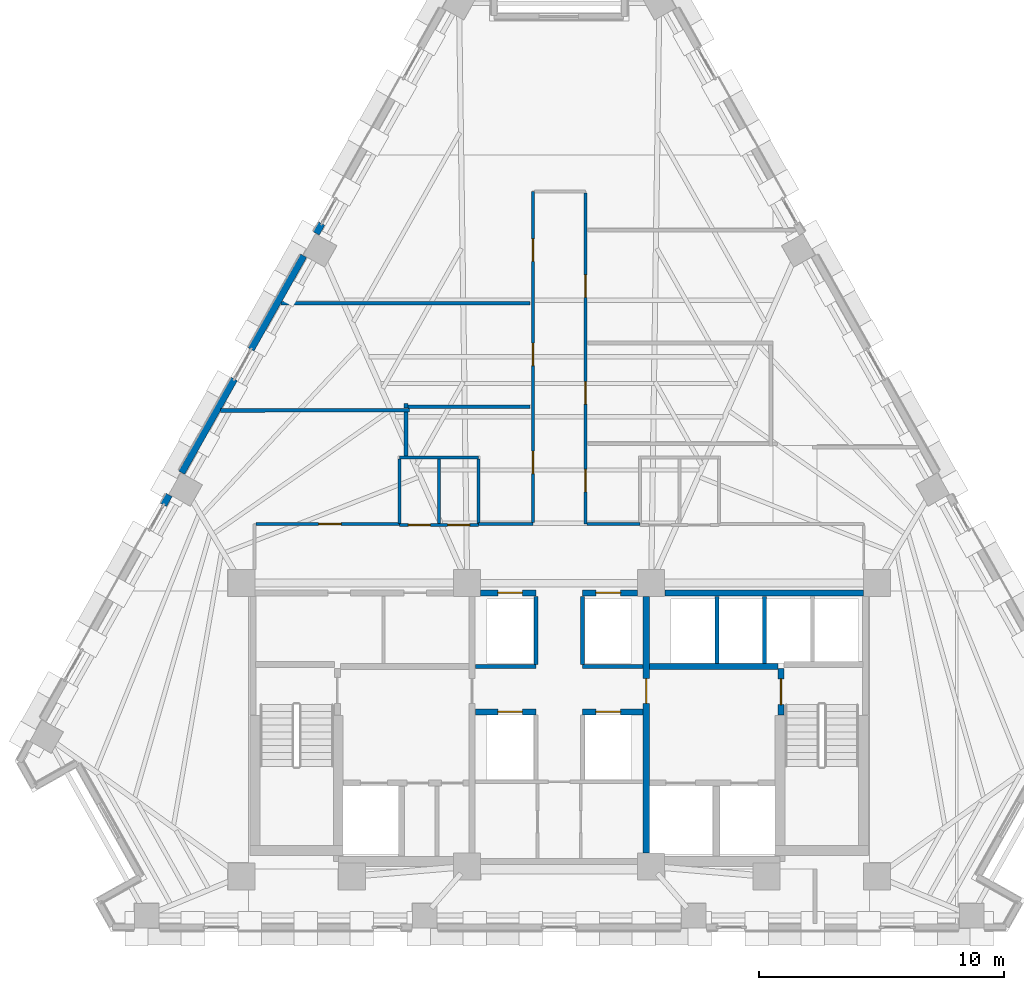
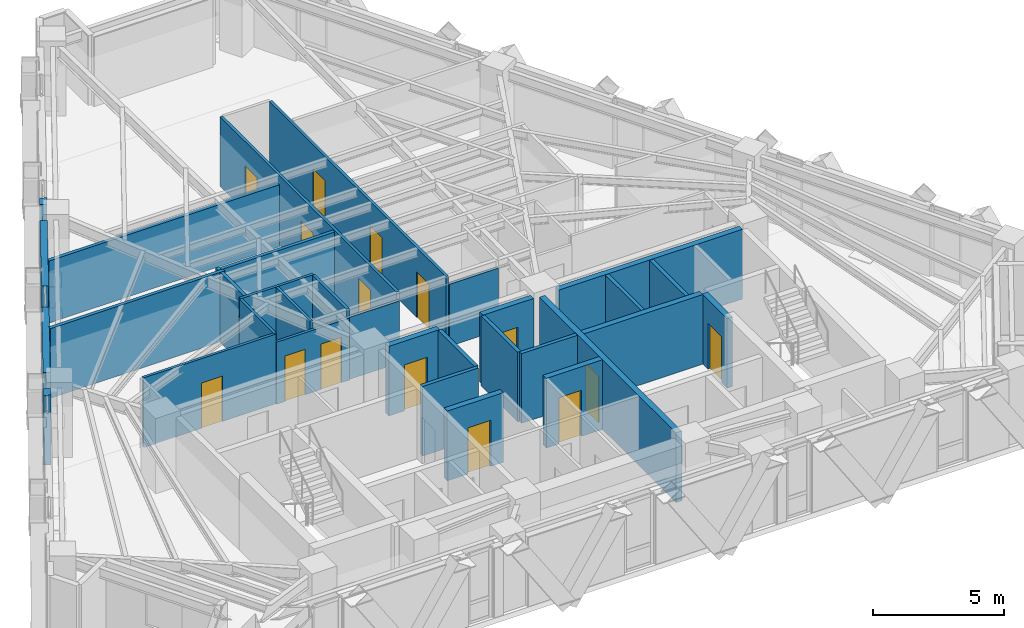
# One storey, part 8 of 14: 33 walls, 15 doors, 15 openings.
"""IFC4 building model written with IfcOpenShell, lengths in metres."""

from ifc_helpers import new_model, si_unit, direction, frame, frame_2d, origin, place, context, subcontext, project, spatial, rectangle, extrude, material, layer, layer_set, type_object, element, fill, save


model = new_model("IFC4")

# Units and contexts
model_context = context("Model", 3, precision=1e-05, world=origin(), true_north=direction((0.0, 1.0)))
body_context = subcontext(model_context, "Body", "Model", "MODEL_VIEW")
ifc_project = project(units=[si_unit("LENGTHUNIT", "METRE"), si_unit("AREAUNIT", "SQUARE_METRE"), si_unit("VOLUMEUNIT", "CUBIC_METRE"), si_unit("PLANEANGLEUNIT", "RADIAN"), si_unit("MASSUNIT", "GRAM", prefix="KILO")], contexts=[model_context])

# Site, building, storey
site_placement = place(None, origin())
site = spatial("IfcSite", under=ifc_project, at=site_placement, CompositionType="ELEMENT")
building_placement = place(site_placement, origin())
building = spatial("IfcBuilding", under=site, at=building_placement, Name="Quenlor Broadcast Tower", CompositionType="ELEMENT")
storey_placement = place(building_placement, frame((0.0, 0.0, 140.5)))
storey = spatial("IfcBuildingStorey", under=building, at=storey_placement, Name="L38", CompositionType="ELEMENT", Elevation=140.5)

# Walls
ifc_material_1 = material(Name="Acoustic Double Stud Gypsum Partition", Category="other")
ifc_layer_1 = layer(ifc_material_1, 0.14990234375)
ifc_layer_set_1 = layer_set([ifc_layer_1], Name="Broadcast Studio Acoustic Partition 150")
wall_type_1 = type_object("IfcWallType", Name="Broadcast Studio Acoustic Partition 150", PredefinedType="PARTITIONING", material=ifc_layer_set_1)
wall_1_placement = place(storey_placement, frame((-1.179931640625, 6.605224609375, 0.0), z_axis=(0.0, 0.0, 1.0), x_axis=(-1.0, 0.0, 0.0)))
element("IfcWall", 1, at=wall_1_placement, inside=storey, type_object=wall_type_1, Name="L38 Interior Wall PW-DV-02", PredefinedType="PARTITIONING", context=body_context, shape_type="SweptSolid", body=[
    extrude(rectangle(XDim=10.1533203125, YDim=0.14990234375, at=frame_2d((5.07666015625, 0.0))), origin(), (0.0, 0.0, 1.0), 2.891357421875),
])
wall_2_placement = place(storey_placement, frame((-1.179931640625, 2.3798828125, 0.0), z_axis=(0.0, 0.0, 1.0), x_axis=(-1.0, 0.0, 0.0)))
element("IfcWall", 2, at=wall_2_placement, inside=storey, type_object=wall_type_1, Name="L38 Interior Wall PW-DV-06", PredefinedType="PARTITIONING", context=body_context, shape_type="SweptSolid", body=[
    extrude(rectangle(XDim=4.984619140625, YDim=0.14990234375, at=frame_2d((2.4921875, 0.0))), origin(), (0.0, 0.0, 1.0), 3.25),
])
wall_3_placement = place(storey_placement, frame((-6.10009765625, 2.24462890625, 0.0), z_axis=(0.0, 0.0, 1.0), x_axis=(-0.999998126996, -0.001935459776, 0.0)))
element("IfcWall", 3, at=wall_3_placement, inside=storey, type_object=wall_type_1, Name="L38 Interior Wall PW-DV-07", PredefinedType="PARTITIONING", context=body_context, shape_type="SweptSolid", body=[
    extrude(rectangle(XDim=7.694580078125, YDim=0.14990234375, at=frame_2d((3.84716796875, 0.0))), origin(), (0.0, 0.0, 1.0), 3.25),
])
wall_4_placement = place(storey_placement, frame((-6.239990234375, 0.3720703125, 0.0), z_axis=(0.0, 0.0, 1.0), x_axis=(0.0, 1.0, 0.0)))
element("IfcWall", 4, at=wall_4_placement, inside=storey, type_object=wall_type_1, Name="L38 Interior Wall PW-DV-09", PredefinedType="PARTITIONING", context=body_context, shape_type="SweptSolid", body=[
    extrude(rectangle(XDim=1.79541015625, YDim=0.14990234375, at=frame_2d((0.897705078125, 0.0))), origin(), (0.0, 0.0, 1.0), 3.25),
])
wall_5_placement = place(storey_placement, frame((-6.239990234375, 2.3212890625, 0.0), z_axis=(0.0, 0.0, 1.0), x_axis=(0.0, 1.0, 0.0)))
element("IfcWall", 5, at=wall_5_placement, inside=storey, type_object=wall_type_1, Name="L38 Interior Wall PW-DV-09S2", PredefinedType="PARTITIONING", context=body_context, shape_type="SweptSolid", body=[
    extrude(rectangle(XDim=0.19873046875, YDim=0.14990234375, at=frame_2d((0.099365234375, 0.0))), origin(), (0.0, 0.0, 1.0), 3.25),
])

# Wall, opening, door
ifc_material_2 = material(Name="Concrete C40/50", Category="concrete")
ifc_layer_2 = layer(ifc_material_2, 0.25)
ifc_layer_set_2 = layer_set([ifc_layer_2], Name="Fire Rated Concrete C40/50 Core Wall 250")
wall_type_2 = type_object("IfcWallType", Name="Fire Rated Concrete C40/50 Core Wall 250", PredefinedType="PARTITIONING", material=ifc_layer_set_2)
wall_6_placement = place(storey_placement, frame((9.0400390625, -10.179931640625, 0.0), z_axis=(0.0, 0.0, 1.0), x_axis=(0.0, 1.0, 0.0)))
wall_6 = element("IfcWall", 6, at=wall_6_placement, inside=storey, type_object=wall_type_2, Name="L38 Interior Wall CW-ST2-DR", PredefinedType="PARTITIONING", context=body_context, shape_type="SweptSolid", body=[
    extrude(rectangle(XDim=1.89990234375, YDim=0.25, at=frame_2d((0.949951171875, 0.0))), origin(), (0.0, 0.0, 1.0), 3.25),
])
opening_1_placement = place(wall_6_placement, frame((0.419921875, 0.0, 0.0)))
opening_1 = element("IfcOpeningElement", 7, at=opening_1_placement, cuts=wall_6, Name="Opening FD-1", PredefinedType="OPENING", context=body_context, shape_type="SweptSolid", body=[
    extrude(rectangle(XDim=1.050048828125, YDim=2.14990234375, at=frame_2d((0.52490234375, 1.074951171875))), frame((0.0, 0.135009765625, 0.0), z_axis=(0.0, -1.0, 0.0), x_axis=(1.0, 0.0, 0.0)), (0.0, 0.0, 1.0), 0.27001953125),
])
ifc_material_3 = material(Name="Fire Rated Steel Door Leaf", Category="steel")
door_type_1 = type_object("IfcDoorType", Name="Fire Isolated Stair Door 1050x2150", OperationType="NOTDEFINED", PredefinedType="DOOR", material=ifc_material_3)
door_1_placement = place(opening_1_placement, origin())
door_1 = element("IfcDoor", 8, at=door_1_placement, inside=storey, type_object=door_type_1, Name="L38 Door DR-ST2", OperationType="SINGLE_SWING_RIGHT", OverallHeight=2.14990234375, OverallWidth=1.050048828125, PredefinedType="DOOR", context=body_context, shape_type="SweptSolid", body=[
    extrude(rectangle(XDim=1.050048828125, YDim=2.14990234375, at=frame_2d((0.52490234375, 1.074951171875))), frame((0.0, 0.02490234375, 0.0), z_axis=(0.0, -1.0, 0.0), x_axis=(1.0, 0.0, 0.0)), (0.0, 0.0, 1.0), 0.050048828125),
])
fill(opening_1, door_1)

# Wall
wall_7_placement = place(storey_placement, frame((3.679931640625, -8.199951171875, 0.0), z_axis=(0.0, 0.0, 1.0), x_axis=(1.0, 0.0, 0.0)))
element("IfcWall", 9, at=wall_7_placement, inside=storey, type_object=wall_type_2, Name="L38 Interior Wall CW-FFE-N", PredefinedType="PARTITIONING", context=body_context, shape_type="SweptSolid", body=[
    extrude(rectangle(XDim=5.239990234375, YDim=0.25, at=frame_2d((2.6201171875, 0.0))), origin(), (0.0, 0.0, 1.0), 3.25),
])

# Wall, opening, door
wall_8_placement = place(storey_placement, frame((3.550048828125, -15.798095703125, 0.0), z_axis=(0.0, 0.0, 1.0), x_axis=(0.0, 1.0, 0.0)))
wall_8 = element("IfcWall", 10, at=wall_8_placement, inside=storey, type_object=wall_type_2, Name="L38 Interior Wall CW-FFE-W", PredefinedType="PARTITIONING", context=body_context, shape_type="SweptSolid", body=[
    extrude(rectangle(XDim=10.446044921875, YDim=0.25, at=frame_2d((5.22314453125, 0.0))), origin(), (0.0, 0.0, 1.0), 3.25),
])
opening_2_placement = place(wall_8_placement, frame((6.097900390625, 0.0, 0.0)))
opening_2 = element("IfcOpeningElement", 11, at=opening_2_placement, cuts=wall_8, Name="Opening FD-2", PredefinedType="OPENING", context=body_context, shape_type="SweptSolid", body=[
    extrude(rectangle(XDim=1.0, YDim=2.14990234375, at=frame_2d((0.5, 1.074951171875))), frame((0.0, 0.135009765625, 0.0), z_axis=(0.0, -1.0, 0.0), x_axis=(1.0, 0.0, 0.0)), (0.0, 0.0, 1.0), 0.27001953125),
])
ifc_material_4 = material(Name="Fire Rated Glazed Steel Door", Category="steel")
door_type_2 = type_object("IfcDoorType", Name="Firefighting Lobby Smoke Door 1000x2150", OperationType="NOTDEFINED", PredefinedType="DOOR", material=ifc_material_4)
door_2_placement = place(opening_2_placement, origin())
door_2 = element("IfcDoor", 12, at=door_2_placement, inside=storey, type_object=door_type_2, Name="L38 Door DR-FFLE", OperationType="SINGLE_SWING_LEFT", OverallHeight=2.14990234375, OverallWidth=1.0, PredefinedType="DOOR", context=body_context, shape_type="SweptSolid", body=[
    extrude(rectangle(XDim=1.0, YDim=2.14990234375, at=frame_2d((0.5, 1.074951171875))), frame((0.0, 0.02490234375, 0.0), z_axis=(0.0, -1.0, 0.0), x_axis=(1.0, 0.0, 0.0)), (0.0, 0.0, 1.0), 0.050048828125),
])
fill(opening_2, door_2)

# Wall
wall_9_placement = place(storey_placement, frame((4.302001953125, -5.199951171875, 0.0), z_axis=(0.0, 0.0, 1.0), x_axis=(1.0, 0.0, 0.0)))
element("IfcWall", 13, at=wall_9_placement, inside=storey, type_object=wall_type_2, Name="L38 Interior Wall CW-N-E", PredefinedType="PARTITIONING", context=body_context, shape_type="SweptSolid", body=[
    extrude(rectangle(XDim=8.095947265625, YDim=0.25, at=frame_2d((4.0478515625, 0.0))), origin(), (0.0, 0.0, 1.0), 3.25),
])

# Wall, opening, door
wall_10_placement = place(storey_placement, frame((-3.197998046875, -5.199951171875, 0.0), z_axis=(0.0, 0.0, 1.0), x_axis=(1.0, 0.0, 0.0)))
wall_10 = element("IfcWall", 14, at=wall_10_placement, inside=storey, type_object=wall_type_2, Name="L38 Interior Wall CW-N-M1", PredefinedType="PARTITIONING", context=body_context, shape_type="SweptSolid", body=[
    extrude(rectangle(XDim=2.248046875, YDim=0.25, at=frame_2d((1.1240234375, 0.0))), origin(), (0.0, 0.0, 1.0), 3.25),
])
opening_3_placement = place(wall_10_placement, frame((0.697998046875, 0.0, 0.0)))
opening_3 = element("IfcOpeningElement", 15, at=opening_3_placement, cuts=wall_10, Name="Opening LD-PL-M1", PredefinedType="OPENING", context=body_context, shape_type="SweptSolid", body=[
    extrude(rectangle(XDim=1.0, YDim=2.14990234375, at=frame_2d((0.5, 1.074951171875))), frame((0.0, 0.135009765625, 0.0), z_axis=(0.0, -1.0, 0.0), x_axis=(1.0, 0.0, 0.0)), (0.0, 0.0, 1.0), 0.27001953125),
])
ifc_material_5 = material(Name="Brushed Stainless Steel", Category="steel")
door_type_3 = type_object("IfcDoorType", Name="Passenger Lift Sliding Landing Door 1000x2150", OperationType="NOTDEFINED", PredefinedType="DOOR", material=ifc_material_5)
door_3_placement = place(opening_3_placement, origin())
door_3 = element("IfcDoor", 16, at=door_3_placement, inside=storey, type_object=door_type_3, Name="L38 Door LD-PL-M1", OperationType="SLIDING_TO_LEFT", OverallHeight=2.14990234375, OverallWidth=1.0, PredefinedType="DOOR", context=body_context, shape_type="SweptSolid", body=[
    extrude(rectangle(XDim=1.0, YDim=2.14990234375, at=frame_2d((0.5, 1.074951171875))), frame((0.0, 0.02490234375, 0.0), z_axis=(0.0, -1.0, 0.0), x_axis=(1.0, 0.0, 0.0)), (0.0, 0.0, 1.0), 0.050048828125),
])
fill(opening_3, door_3)

wall_11_placement = place(storey_placement, frame((0.949951171875, -5.199951171875, 0.0), z_axis=(0.0, 0.0, 1.0), x_axis=(1.0, 0.0, 0.0)))
wall_11 = element("IfcWall", 17, at=wall_11_placement, inside=storey, type_object=wall_type_2, Name="L38 Interior Wall CW-N-M2", PredefinedType="PARTITIONING", context=body_context, shape_type="SweptSolid", body=[
    extrude(rectangle(XDim=2.248046875, YDim=0.25, at=frame_2d((1.1240234375, 0.0))), origin(), (0.0, 0.0, 1.0), 3.25),
])
opening_4_placement = place(wall_11_placement, frame((0.550048828125, 0.0, 0.0)))
opening_4 = element("IfcOpeningElement", 18, at=opening_4_placement, cuts=wall_11, Name="Opening LD-PL-M2", PredefinedType="OPENING", context=body_context, shape_type="SweptSolid", body=[
    extrude(rectangle(XDim=1.0, YDim=2.14990234375, at=frame_2d((0.5, 1.074951171875))), frame((0.0, 0.135009765625, 0.0), z_axis=(0.0, -1.0, 0.0), x_axis=(1.0, 0.0, 0.0)), (0.0, 0.0, 1.0), 0.27001953125),
])
door_4_placement = place(opening_4_placement, origin())
door_4 = element("IfcDoor", 19, at=door_4_placement, inside=storey, type_object=door_type_3, Name="L38 Door LD-PL-M2", OperationType="SLIDING_TO_RIGHT", OverallHeight=2.14990234375, OverallWidth=1.0, PredefinedType="DOOR", context=body_context, shape_type="SweptSolid", body=[
    extrude(rectangle(XDim=1.0, YDim=2.14990234375, at=frame_2d((0.5, 1.074951171875))), frame((0.0, 0.02490234375, 0.0), z_axis=(0.0, -1.0, 0.0), x_axis=(1.0, 0.0, 0.0)), (0.0, 0.0, 1.0), 0.050048828125),
])
fill(opening_4, door_4)

wall_12_placement = place(storey_placement, frame((-3.419921875, -10.050048828125, 0.0), z_axis=(0.0, 0.0, 1.0), x_axis=(1.0, 0.0, 0.0)))
wall_12 = element("IfcWall", 20, at=wall_12_placement, inside=storey, type_object=wall_type_2, Name="L38 Interior Wall CW-MS-N1", PredefinedType="PARTITIONING", context=body_context, shape_type="SweptSolid", body=[
    extrude(rectangle(XDim=2.469970703125, YDim=0.25, at=frame_2d((1.23486328125, 0.0))), origin(), (0.0, 0.0, 1.0), 3.25),
])
opening_5_placement = place(wall_12_placement, frame((0.919921875, 0.0, 0.0)))
opening_5 = element("IfcOpeningElement", 21, at=opening_5_placement, cuts=wall_12, Name="Opening LD-PL-M3", PredefinedType="OPENING", context=body_context, shape_type="SweptSolid", body=[
    extrude(rectangle(XDim=1.0, YDim=2.14990234375, at=frame_2d((0.5, 1.074951171875))), frame((0.0, 0.135009765625, 0.0), z_axis=(0.0, -1.0, 0.0), x_axis=(1.0, 0.0, 0.0)), (0.0, 0.0, 1.0), 0.27001953125),
])
door_5_placement = place(opening_5_placement, origin())
door_5 = element("IfcDoor", 22, at=door_5_placement, inside=storey, type_object=door_type_3, Name="L38 Door LD-PL-M3", OperationType="SLIDING_TO_LEFT", OverallHeight=2.14990234375, OverallWidth=1.0, PredefinedType="DOOR", context=body_context, shape_type="SweptSolid", body=[
    extrude(rectangle(XDim=1.0, YDim=2.14990234375, at=frame_2d((0.5, 1.074951171875))), frame((0.0, 0.02490234375, 0.0), z_axis=(0.0, -1.0, 0.0), x_axis=(1.0, 0.0, 0.0)), (0.0, 0.0, 1.0), 0.050048828125),
])
fill(opening_5, door_5)

wall_13_placement = place(storey_placement, frame((0.949951171875, -10.050048828125, 0.0), z_axis=(0.0, 0.0, 1.0), x_axis=(1.0, 0.0, 0.0)))
wall_13 = element("IfcWall", 23, at=wall_13_placement, inside=storey, type_object=wall_type_2, Name="L38 Interior Wall CW-MS-N2", PredefinedType="PARTITIONING", context=body_context, shape_type="SweptSolid", body=[
    extrude(rectangle(XDim=2.469970703125, YDim=0.25, at=frame_2d((1.23486328125, 0.0))), origin(), (0.0, 0.0, 1.0), 3.25),
])
opening_6_placement = place(wall_13_placement, frame((0.550048828125, 0.0, 0.0)))
opening_6 = element("IfcOpeningElement", 24, at=opening_6_placement, cuts=wall_13, Name="Opening LD-PL-M4", PredefinedType="OPENING", context=body_context, shape_type="SweptSolid", body=[
    extrude(rectangle(XDim=1.0, YDim=2.14990234375, at=frame_2d((0.5, 1.074951171875))), frame((0.0, 0.135009765625, 0.0), z_axis=(0.0, -1.0, 0.0), x_axis=(1.0, 0.0, 0.0)), (0.0, 0.0, 1.0), 0.27001953125),
])
door_6_placement = place(opening_6_placement, origin())
door_6 = element("IfcDoor", 25, at=door_6_placement, inside=storey, type_object=door_type_3, Name="L38 Door LD-PL-M4", OperationType="SLIDING_TO_RIGHT", OverallHeight=2.14990234375, OverallWidth=1.0, PredefinedType="DOOR", context=body_context, shape_type="SweptSolid", body=[
    extrude(rectangle(XDim=1.0, YDim=2.14990234375, at=frame_2d((0.5, 1.074951171875))), frame((0.0, 0.02490234375, 0.0), z_axis=(0.0, -1.0, 0.0), x_axis=(1.0, 0.0, 0.0)), (0.0, 0.0, 1.0), 0.050048828125),
])
fill(opening_6, door_6)

# Walls
ifc_material_6 = material(Name="Gypsum Fireboard Partition", Category="other")
ifc_layer_3 = layer(ifc_material_6, 0.159912109375)
ifc_layer_set_3 = layer_set([ifc_layer_3], Name="Fire Rated Shaft and Corridor Partition 160")
wall_type_3 = type_object("IfcWallType", Name="Fire Rated Shaft and Corridor Partition 160", PredefinedType="PARTITIONING", material=ifc_layer_set_3)
for number, where, z_axis, x_axis, name in (
    (26, (6.425048828125, -8.072998046875, 0.0), (0.0, 0.0, 1.0), (0.0, 1.0, 0.0), "L38 Interior Wall CW-PLH-D1"),
    (27, (8.375, -8.072998046875, 0.0), (0.0, 0.0, 1.0), (0.0, 1.0, 0.0), "L38 Interior Wall CW-PLH-D2"),
):
    element("IfcWall", number, at=place(storey_placement, frame(where, z_axis=z_axis, x_axis=x_axis)), inside=storey, type_object=wall_type_3, Name=name, PredefinedType="PARTITIONING", context=body_context, shape_type="SweptSolid", body=[
        extrude(rectangle(XDim=2.73291015625, YDim=0.159912109375, at=frame_2d((1.366455078125, 0.0))), origin(), (0.0, 0.0, 1.0), 3.25),
    ])
for number, where, z_axis, x_axis, name in (
    (28, (-0.949951171875, -8.1201171875, 0.0), (0.0, 0.0, 1.0), (0.0, 1.0, 0.0), "L38 Interior Wall CW-CCRP-W"),
    (29, (0.949951171875, -8.1201171875, 0.0), (0.0, 0.0, 1.0), (0.0, 1.0, 0.0), "L38 Interior Wall CW-CCRP-E"),
):
    element("IfcWall", number, at=place(storey_placement, frame(where, z_axis=z_axis, x_axis=x_axis)), inside=storey, type_object=wall_type_3, Name=name, PredefinedType="PARTITIONING", context=body_context, shape_type="SweptSolid", body=[
        extrude(rectangle(XDim=2.780029296875, YDim=0.159912109375, at=frame_2d((1.39013671875, 0.0))), origin(), (0.0, 0.0, 1.0), 3.25),
    ])
for number, where, z_axis, x_axis, name in (
    (30, (-3.419921875, -8.199951171875, 0.0), (0.0, 0.0, 1.0), (1.0, 0.0, 0.0), "L38 Interior Wall CW-M-BACK1"),
    (31, (0.949951171875, -8.199951171875, 0.0), (0.0, 0.0, 1.0), (1.0, 0.0, 0.0), "L38 Interior Wall CW-M-BACK2"),
):
    element("IfcWall", number, at=place(storey_placement, frame(where, z_axis=z_axis, x_axis=x_axis)), inside=storey, type_object=wall_type_3, Name=name, PredefinedType="PARTITIONING", context=body_context, shape_type="SweptSolid", body=[
        extrude(rectangle(XDim=2.469970703125, YDim=0.159912109375, at=frame_2d((1.23486328125, 0.0))), origin(), (0.0, 0.0, 1.0), 3.25),
    ])

# Wall, openings, doors
ifc_material_7 = material(Name="Gypsum Plasterboard Partition", Category="other")
ifc_layer_4 = layer(ifc_material_7, 0.1201171875)
ifc_layer_set_4 = layer_set([ifc_layer_4], Name="Standard Office Partition 120")
wall_type_4 = type_object("IfcWallType", Name="Standard Office Partition 120", PredefinedType="PARTITIONING", material=ifc_layer_set_4)
wall_14_placement = place(storey_placement, frame((-6.510009765625, -2.43994140625, 0.0), z_axis=(0.0, 0.0, 1.0), x_axis=(1.0, 0.0, 0.0)))
wall_14 = element("IfcWall", 32, at=wall_14_placement, inside=storey, type_object=wall_type_4, Name="L38 Interior Wall PW-WCW-S", PredefinedType="PARTITIONING", context=body_context, shape_type="SweptSolid", body=[
    extrude(rectangle(XDim=3.219970703125, YDim=0.1201171875, at=frame_2d((1.60986328125, 0.0))), origin(), (0.0, 0.0, 1.0), 2.891357421875),
])
opening_7_placement = place(wall_14_placement, frame((0.360107421875, 0.0, 0.0)))
opening_7 = element("IfcOpeningElement", 33, at=opening_7_placement, cuts=wall_14, Name="Opening ID-3", PredefinedType="OPENING", context=body_context, shape_type="SweptSolid", body=[
    extrude(rectangle(XDim=0.89990234375, YDim=2.1201171875, at=frame_2d((0.449951171875, 1.06005859375))), frame((0.0, 0.070068359375, 0.0), z_axis=(0.0, -1.0, 0.0), x_axis=(1.0, 0.0, 0.0)), (0.0, 0.0, 1.0), 0.14013671875),
])
opening_8_placement = place(wall_14_placement, frame((1.9599609375, 0.0, 0.0)))
opening_8 = element("IfcOpeningElement", 34, at=opening_8_placement, cuts=wall_14, Name="Opening ID-3", PredefinedType="OPENING", context=body_context, shape_type="SweptSolid", body=[
    extrude(rectangle(XDim=0.89990234375, YDim=2.1201171875, at=frame_2d((0.449951171875, 1.06005859375))), frame((0.0, 0.070068359375, 0.0), z_axis=(0.0, -1.0, 0.0), x_axis=(1.0, 0.0, 0.0)), (0.0, 0.0, 1.0), 0.14013671875),
])
ifc_material_8 = material(Name="Moisture Resistant Timber Oak", Category="wood")
door_type_4 = type_object("IfcDoorType", Name="Washroom Privacy Door 900x2120", OperationType="NOTDEFINED", PredefinedType="DOOR", material=ifc_material_8)
door_7_placement = place(opening_7_placement, origin())
door_7 = element("IfcDoor", 35, at=door_7_placement, inside=storey, type_object=door_type_4, Name="L38 Door DR-AWC", OperationType="SINGLE_SWING_LEFT", OverallHeight=2.1201171875, OverallWidth=0.89990234375, PredefinedType="DOOR", context=body_context, shape_type="SweptSolid", body=[
    extrude(rectangle(XDim=0.89990234375, YDim=2.1201171875, at=frame_2d((0.449951171875, 1.06005859375))), frame((0.0, 0.02490234375, 0.0), z_axis=(0.0, -1.0, 0.0), x_axis=(1.0, 0.0, 0.0)), (0.0, 0.0, 1.0), 0.050048828125),
])
fill(opening_7, door_7)
door_8_placement = place(opening_8_placement, origin())
door_8 = element("IfcDoor", 36, at=door_8_placement, inside=storey, type_object=door_type_4, Name="L38 Door DR-SHW", OperationType="SINGLE_SWING_RIGHT", OverallHeight=2.1201171875, OverallWidth=0.89990234375, PredefinedType="DOOR", context=body_context, shape_type="SweptSolid", body=[
    extrude(rectangle(XDim=0.89990234375, YDim=2.1201171875, at=frame_2d((0.449951171875, 1.06005859375))), frame((0.0, 0.02490234375, 0.0), z_axis=(0.0, -1.0, 0.0), x_axis=(1.0, 0.0, 0.0)), (0.0, 0.0, 1.0), 0.050048828125),
])
fill(opening_8, door_8)

# Walls
wall_15_placement = place(storey_placement, frame((-6.510009765625, 0.31005859375, 0.0), z_axis=(0.0, 0.0, 1.0), x_axis=(1.0, 0.0, 0.0)))
element("IfcWall", 37, at=wall_15_placement, inside=storey, type_object=wall_type_4, Name="L38 Interior Wall PW-WCW-N", PredefinedType="PARTITIONING", context=body_context, shape_type="SweptSolid", body=[
    extrude(rectangle(XDim=3.219970703125, YDim=0.1201171875, at=frame_2d((1.60986328125, 0.0))), origin(), (0.0, 0.0, 1.0), 3.25),
])
for number, where, z_axis, x_axis, name in (
    (38, (-6.510009765625, -2.3779296875, 0.0), (0.0, 0.0, 1.0), (0.0, 1.0, 0.0), "L38 Interior Wall PW-WCW-W"),
    (39, (-4.89990234375, -2.3779296875, 0.0), (0.0, 0.0, 1.0), (0.0, 1.0, 0.0), "L38 Interior Wall PW-WCW-M"),
    (40, (-3.2900390625, -2.3779296875, 0.0), (0.0, 0.0, 1.0), (0.0, 1.0, 0.0), "L38 Interior Wall PW-WCW-E"),
):
    element("IfcWall", number, at=place(storey_placement, frame(where, z_axis=z_axis, x_axis=x_axis)), inside=storey, type_object=wall_type_4, Name=name, PredefinedType="PARTITIONING", context=body_context, shape_type="SweptSolid", body=[
        extrude(rectangle(XDim=2.6259765625, YDim=0.1201171875, at=frame_2d((1.31298828125, 0.0))), origin(), (0.0, 0.0, 1.0), 3.25),
    ])

# Wall, opening, door
wall_16_placement = place(storey_placement, frame((-12.347900390625, -2.39990234375, 0.0), z_axis=(0.0, 0.0, 1.0), x_axis=(1.0, 0.0, 0.0)))
wall_16 = element("IfcWall", 41, at=wall_16_placement, inside=storey, type_object=wall_type_4, Name="L38 Interior Wall PW-CR-02", PredefinedType="PARTITIONING", context=body_context, shape_type="SweptSolid", body=[
    extrude(rectangle(XDim=5.8359375, YDim=0.1201171875, at=frame_2d((2.91796875, 0.0))), origin(), (0.0, 0.0, 1.0), 3.25),
])
opening_9_placement = place(wall_16_placement, frame((2.547119140625, 0.0, 0.0)))
opening_9 = element("IfcOpeningElement", 42, at=opening_9_placement, cuts=wall_16, Name="Opening ID-1", PredefinedType="OPENING", context=body_context, shape_type="SweptSolid", body=[
    extrude(rectangle(XDim=0.919921875, YDim=2.1201171875, at=frame_2d((0.4599609375, 1.06005859375))), frame((0.0, 0.070068359375, 0.0), z_axis=(0.0, -1.0, 0.0), x_axis=(1.0, 0.0, 0.0)), (0.0, 0.0, 1.0), 0.14013671875),
])
ifc_material_9 = material(Name="Solid Core Timber Oak", Category="wood")
door_type_5 = type_object("IfcDoorType", Name="Single Leaf Timber Office Door 920x2120", OperationType="NOTDEFINED", PredefinedType="DOOR", material=ifc_material_9)
door_9_placement = place(opening_9_placement, origin())
door_9 = element("IfcDoor", 43, at=door_9_placement, inside=storey, type_object=door_type_5, Name="L38 Door DR-RM08", OperationType="SINGLE_SWING_RIGHT", OverallHeight=2.1201171875, OverallWidth=0.919921875, PredefinedType="DOOR", context=body_context, shape_type="SweptSolid", body=[
    extrude(rectangle(XDim=0.919921875, YDim=2.1201171875, at=frame_2d((0.4599609375, 1.06005859375))), frame((0.0, 0.02490234375, 0.0), z_axis=(0.0, -1.0, 0.0), x_axis=(1.0, 0.0, 0.0)), (0.0, 0.0, 1.0), 0.050048828125),
])
fill(opening_9, door_9)

# Wall
wall_17_placement = place(storey_placement, frame((-3.2880859375, -2.39990234375, 0.0), z_axis=(0.0, 0.0, 1.0), x_axis=(1.0, 0.0, 0.0)))
element("IfcWall", 44, at=wall_17_placement, inside=storey, type_object=wall_type_4, Name="L38 Interior Wall PW-CR-02S2", PredefinedType="PARTITIONING", context=body_context, shape_type="SweptSolid", body=[
    extrude(rectangle(XDim=2.218017578125, YDim=0.1201171875, at=frame_2d((1.10888671875, 0.0))), origin(), (0.0, 0.0, 1.0), 2.891357421875),
])

# Wall, openings, doors
wall_18_placement = place(storey_placement, frame((-1.070068359375, -2.337890625, 0.0), z_axis=(0.0, 0.0, 1.0), x_axis=(0.0, 1.0, 0.0)))
wall_18 = element("IfcWall", 45, at=wall_18_placement, inside=storey, type_object=wall_type_4, Name="L38 Interior Wall PW-CR-03", PredefinedType="PARTITIONING", context=body_context, shape_type="SweptSolid", body=[
    extrude(rectangle(XDim=13.48779296875, YDim=0.1201171875, at=frame_2d((6.743896484375, 0.0))), origin(), (0.0, 0.0, 1.0), 3.25),
])
opening_10_placement = place(wall_18_placement, frame((10.64599609375, 0.0, 0.0)))
opening_10 = element("IfcOpeningElement", 46, at=opening_10_placement, cuts=wall_18, Name="Opening ID-1", PredefinedType="OPENING", context=body_context, shape_type="SweptSolid", body=[
    extrude(rectangle(XDim=0.919921875, YDim=2.1201171875, at=frame_2d((0.4599609375, 1.06005859375))), frame((0.0, 0.070068359375, 0.0), z_axis=(0.0, -1.0, 0.0), x_axis=(1.0, 0.0, 0.0)), (0.0, 0.0, 1.0), 0.14013671875),
])
opening_11_placement = place(wall_18_placement, frame((6.39111328125, 0.0, 0.0)))
opening_11 = element("IfcOpeningElement", 47, at=opening_11_placement, cuts=wall_18, Name="Opening ID-1", PredefinedType="OPENING", context=body_context, shape_type="SweptSolid", body=[
    extrude(rectangle(XDim=0.919921875, YDim=2.1201171875, at=frame_2d((0.4599609375, 1.06005859375))), frame((0.0, 0.070068359375, 0.0), z_axis=(0.0, -1.0, 0.0), x_axis=(1.0, 0.0, 0.0)), (0.0, 0.0, 1.0), 0.14013671875),
])
opening_12_placement = place(wall_18_placement, frame((1.9970703125, 0.0, 0.0)))
opening_12 = element("IfcOpeningElement", 48, at=opening_12_placement, cuts=wall_18, Name="Opening ID-1", PredefinedType="OPENING", context=body_context, shape_type="SweptSolid", body=[
    extrude(rectangle(XDim=0.919921875, YDim=2.1201171875, at=frame_2d((0.4599609375, 1.06005859375))), frame((0.0, 0.070068359375, 0.0), z_axis=(0.0, -1.0, 0.0), x_axis=(1.0, 0.0, 0.0)), (0.0, 0.0, 1.0), 0.14013671875),
])
door_10_placement = place(opening_10_placement, origin())
door_10 = element("IfcDoor", 49, at=door_10_placement, inside=storey, type_object=door_type_5, Name="L38 Door DR-RM01", OperationType="SINGLE_SWING_LEFT", OverallHeight=2.1201171875, OverallWidth=0.919921875, PredefinedType="DOOR", context=body_context, shape_type="SweptSolid", body=[
    extrude(rectangle(XDim=0.919921875, YDim=2.1201171875, at=frame_2d((0.4599609375, 1.06005859375))), frame((0.0, 0.02490234375, 0.0), z_axis=(0.0, -1.0, 0.0), x_axis=(1.0, 0.0, 0.0)), (0.0, 0.0, 1.0), 0.050048828125),
])
fill(opening_10, door_10)
door_11_placement = place(opening_11_placement, origin())
door_11 = element("IfcDoor", 50, at=door_11_placement, inside=storey, type_object=door_type_5, Name="L38 Door DR-RM03", OperationType="SINGLE_SWING_LEFT", OverallHeight=2.1201171875, OverallWidth=0.919921875, PredefinedType="DOOR", context=body_context, shape_type="SweptSolid", body=[
    extrude(rectangle(XDim=0.919921875, YDim=2.1201171875, at=frame_2d((0.4599609375, 1.06005859375))), frame((0.0, 0.02490234375, 0.0), z_axis=(0.0, -1.0, 0.0), x_axis=(1.0, 0.0, 0.0)), (0.0, 0.0, 1.0), 0.050048828125),
])
fill(opening_11, door_11)
door_12_placement = place(opening_12_placement, origin())
door_12 = element("IfcDoor", 51, at=door_12_placement, inside=storey, type_object=door_type_5, Name="L38 Door DR-RM05", OperationType="SINGLE_SWING_LEFT", OverallHeight=2.1201171875, OverallWidth=0.919921875, PredefinedType="DOOR", context=body_context, shape_type="SweptSolid", body=[
    extrude(rectangle(XDim=0.919921875, YDim=2.1201171875, at=frame_2d((0.4599609375, 1.06005859375))), frame((0.0, 0.02490234375, 0.0), z_axis=(0.0, -1.0, 0.0), x_axis=(1.0, 0.0, 0.0)), (0.0, 0.0, 1.0), 0.050048828125),
])
fill(opening_12, door_12)

wall_19_placement = place(storey_placement, frame((1.070068359375, 11.087890625, 0.0), z_axis=(0.0, 0.0, 1.0), x_axis=(0.0, -1.0, 0.0)))
wall_19 = element("IfcWall", 52, at=wall_19_placement, inside=storey, type_object=wall_type_4, Name="L38 Interior Wall PW-CR-05", PredefinedType="PARTITIONING", context=body_context, shape_type="SweptSolid", body=[
    extrude(rectangle(XDim=13.48779296875, YDim=0.1201171875, at=frame_2d((6.743896484375, 0.0))), origin(), (0.0, 0.0, 1.0), 3.25),
])
opening_13_placement = place(wall_19_placement, frame((3.327880859375, 0.0, 0.0)))
opening_13 = element("IfcOpeningElement", 53, at=opening_13_placement, cuts=wall_19, Name="Opening ID-1", PredefinedType="OPENING", context=body_context, shape_type="SweptSolid", body=[
    extrude(rectangle(XDim=0.919921875, YDim=2.1201171875, at=frame_2d((0.4599609375, 1.06005859375))), frame((0.0, 0.070068359375, 0.0), z_axis=(0.0, -1.0, 0.0), x_axis=(1.0, 0.0, 0.0)), (0.0, 0.0, 1.0), 0.14013671875),
])
opening_14_placement = place(wall_19_placement, frame((7.677978515625, 0.0, 0.0)))
opening_14 = element("IfcOpeningElement", 54, at=opening_14_placement, cuts=wall_19, Name="Opening ID-1", PredefinedType="OPENING", context=body_context, shape_type="SweptSolid", body=[
    extrude(rectangle(XDim=0.919921875, YDim=2.1201171875, at=frame_2d((0.4599609375, 1.06005859375))), frame((0.0, 0.070068359375, 0.0), z_axis=(0.0, -1.0, 0.0), x_axis=(1.0, 0.0, 0.0)), (0.0, 0.0, 1.0), 0.14013671875),
])
opening_15_placement = place(wall_19_placement, frame((11.259033203125, 0.0, 0.0)))
opening_15 = element("IfcOpeningElement", 55, at=opening_15_placement, cuts=wall_19, Name="Opening ID-1", PredefinedType="OPENING", context=body_context, shape_type="SweptSolid", body=[
    extrude(rectangle(XDim=0.919921875, YDim=2.1201171875, at=frame_2d((0.4599609375, 1.06005859375))), frame((0.0, 0.070068359375, 0.0), z_axis=(0.0, -1.0, 0.0), x_axis=(1.0, 0.0, 0.0)), (0.0, 0.0, 1.0), 0.14013671875),
])
door_13_placement = place(opening_13_placement, origin())
door_13 = element("IfcDoor", 56, at=door_13_placement, inside=storey, type_object=door_type_5, Name="L38 Door DR-RM02", OperationType="SINGLE_SWING_RIGHT", OverallHeight=2.1201171875, OverallWidth=0.919921875, PredefinedType="DOOR", context=body_context, shape_type="SweptSolid", body=[
    extrude(rectangle(XDim=0.919921875, YDim=2.1201171875, at=frame_2d((0.4599609375, 1.06005859375))), frame((0.0, 0.02490234375, 0.0), z_axis=(0.0, -1.0, 0.0), x_axis=(1.0, 0.0, 0.0)), (0.0, 0.0, 1.0), 0.050048828125),
])
fill(opening_13, door_13)
door_14_placement = place(opening_14_placement, origin())
door_14 = element("IfcDoor", 57, at=door_14_placement, inside=storey, type_object=door_type_5, Name="L38 Door DR-RM04", OperationType="SINGLE_SWING_RIGHT", OverallHeight=2.1201171875, OverallWidth=0.919921875, PredefinedType="DOOR", context=body_context, shape_type="SweptSolid", body=[
    extrude(rectangle(XDim=0.919921875, YDim=2.1201171875, at=frame_2d((0.4599609375, 1.06005859375))), frame((0.0, 0.02490234375, 0.0), z_axis=(0.0, -1.0, 0.0), x_axis=(1.0, 0.0, 0.0)), (0.0, 0.0, 1.0), 0.050048828125),
])
fill(opening_14, door_14)
door_15_placement = place(opening_15_placement, origin())
door_15 = element("IfcDoor", 58, at=door_15_placement, inside=storey, type_object=door_type_5, Name="L38 Door DR-RM06", OperationType="SINGLE_SWING_RIGHT", OverallHeight=2.1201171875, OverallWidth=0.919921875, PredefinedType="DOOR", context=body_context, shape_type="SweptSolid", body=[
    extrude(rectangle(XDim=0.919921875, YDim=2.1201171875, at=frame_2d((0.4599609375, 1.06005859375))), frame((0.0, 0.02490234375, 0.0), z_axis=(0.0, -1.0, 0.0), x_axis=(1.0, 0.0, 0.0)), (0.0, 0.0, 1.0), 0.050048828125),
])
fill(opening_15, door_15)

# Walls
wall_20_placement = place(storey_placement, frame((1.132080078125, -2.39990234375, 0.0), z_axis=(0.0, 0.0, 1.0), x_axis=(1.0, 0.0, 0.0)))
element("IfcWall", 59, at=wall_20_placement, inside=storey, type_object=wall_type_4, Name="L38 Interior Wall PW-CR-06", PredefinedType="PARTITIONING", context=body_context, shape_type="SweptSolid", body=[
    extrude(rectangle(XDim=2.156005859375, YDim=0.1201171875, at=frame_2d((1.078125, 0.0))), origin(), (0.0, 0.0, 1.0), 2.891357421875),
])
ifc_material_10 = material(Name="Precast concrete C40/50", Category="concrete")
ifc_layer_5 = layer(ifc_material_10, 0.280029296875)
ifc_layer_set_5 = layer_set([ifc_layer_5], Name="Terracotta Precast Concrete C40/50 Facade Wall 280")
wall_type_5 = type_object("IfcWallType", Name="Terracotta Precast Concrete C40/50 Facade Wall 280", PredefinedType="STANDARD", material=ifc_layer_set_5)
for number, where, z_axis, x_axis, name in (
    (60, (-16.120849609375, -1.6162109375, 0.0), (0.0, 0.0, 1.0), (0.490009165718, 0.871717280724, 0.0), "L38 Exterior Wall L38-NWA-SP3"),
    (61, (-9.899658203125, 9.44384765625, 0.0), (0.0, 0.0, 1.0), (0.490412424957, 0.871490478116, 0.0), "L38 Exterior Wall L38-NWC-SP1"),
):
    element("IfcWall", number, at=place(storey_placement, frame(where, z_axis=z_axis, x_axis=x_axis)), inside=storey, type_object=wall_type_5, Name=name, PredefinedType="STANDARD", context=body_context, shape_type="SweptSolid", body=[
        extrude(rectangle(XDim=0.4599609375, YDim=0.280029296875, at=frame_2d((0.22998046875, 0.0))), origin(), (0.0, 0.0, 1.0), 3.25),
    ])
wall_21_placement = place(storey_placement, frame((-15.383056640625, -0.3046875, 0.0), z_axis=(0.0, 0.0, 1.0), x_axis=(0.490232095789, 0.871591929895, 0.0)))
element("IfcWall", 62, at=wall_21_placement, inside=storey, type_object=wall_type_5, Name="L38 Exterior Wall L38-NW-SP1", PredefinedType="STANDARD", context=body_context, shape_type="SweptSolid", body=[
    extrude(rectangle(XDim=4.375, YDim=0.280029296875, at=frame_2d((2.1875, 0.0))), origin(), (0.0, 0.0, 1.0), 3.25),
])
wall_22_placement = place(storey_placement, frame((-12.556884765625, 4.7197265625, 0.0), z_axis=(0.0, 0.0, 1.0), x_axis=(0.490274486291, 0.871568085747, 0.0)))
element("IfcWall", 63, at=wall_22_placement, inside=storey, type_object=wall_type_5, Name="L38 Exterior Wall L38-NW-SP2", PredefinedType="STANDARD", context=body_context, shape_type="SweptSolid", body=[
    extrude(rectangle(XDim=4.375244140625, YDim=0.280029296875, at=frame_2d((2.1875, 0.0))), origin(), (0.0, 0.0, 1.0), 3.25),
])

save(model, "model.ifc")
